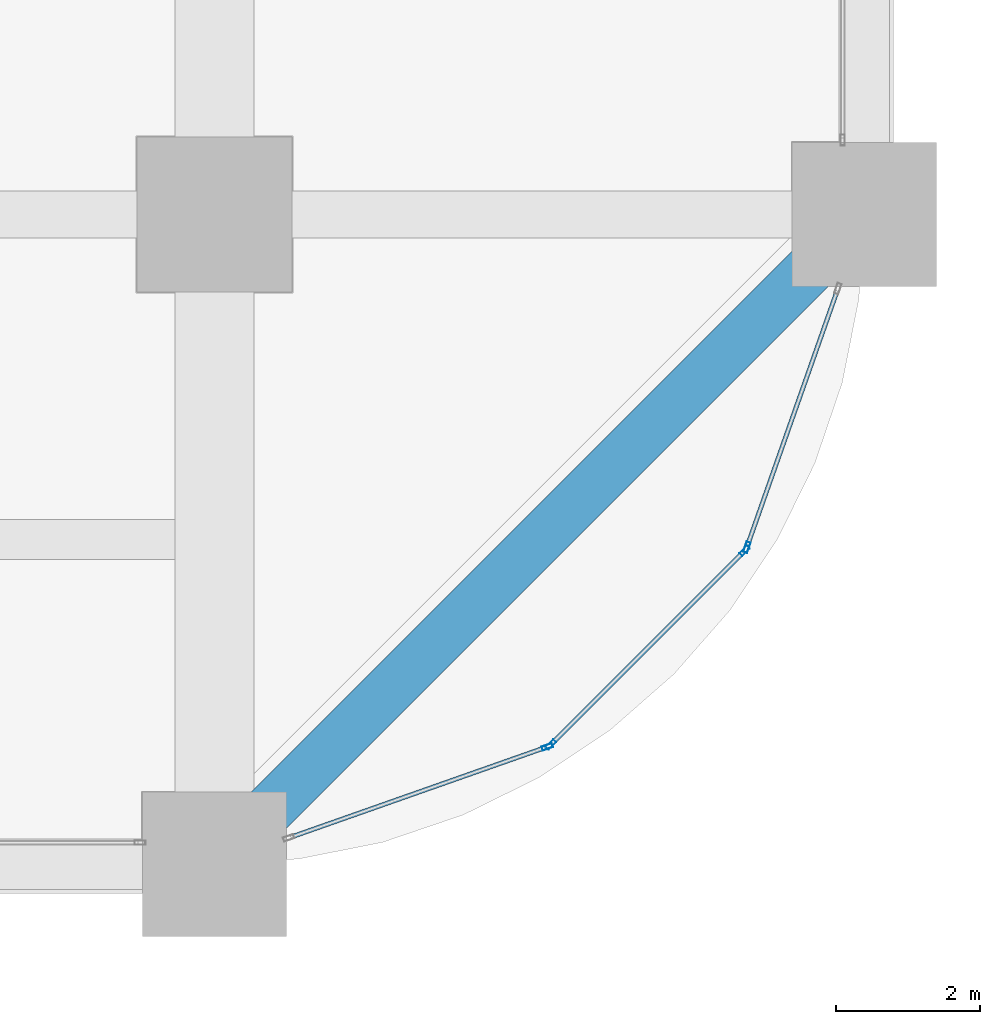
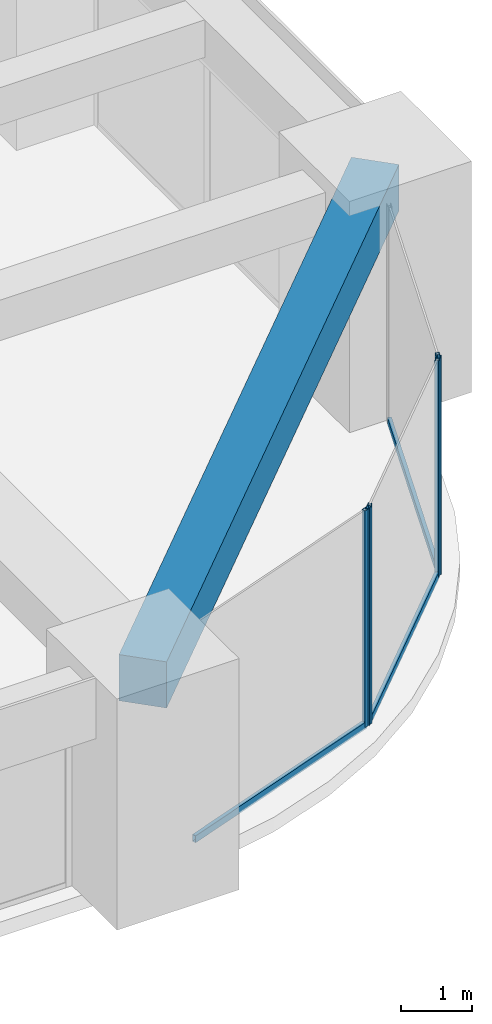
# One storey, part 17 of 41: 7 members, 1 beam, 3 elements without a shape of their own.
"""IFC4 building model written with IfcOpenShell, lengths in metres."""

from ifc_helpers import new_model, si_unit, direction, frame, origin, origin_2d, place, context, subcontext, project, spatial, rectangle, hollow_rectangle, extrude, material, material_profile, profile_set, type_object, element, aggregate, save


model = new_model("IFC4")

# Units and contexts
model_context = context("Model", 3, precision=1e-05, world=origin(), true_north=direction((0.0, 1.0)))
body_context = subcontext(model_context, "Body", "Model", "MODEL_VIEW")
ifc_project = project(units=[si_unit("LENGTHUNIT", "METRE"), si_unit("AREAUNIT", "SQUARE_METRE"), si_unit("VOLUMEUNIT", "CUBIC_METRE"), si_unit("PLANEANGLEUNIT", "RADIAN"), si_unit("MASSUNIT", "GRAM", prefix="KILO")], contexts=[model_context])

# Site, building, storey
site_placement = place(None, origin())
site = spatial("IfcSite", under=ifc_project, at=site_placement, CompositionType="ELEMENT")
building_placement = place(site_placement, origin())
building = spatial("IfcBuilding", under=site, at=building_placement, Name="Zorevar Civic Tower", CompositionType="ELEMENT")
storey_placement = place(building_placement, frame((0.0, 0.0, 89.0)))
storey = spatial("IfcBuildingStorey", under=building, at=storey_placement, Name="L21", CompositionType="ELEMENT", Elevation=89.0)

# Curtain wall, member
ifc_material_1 = material(Name="Dark grey solar-control glass in black aluminium frame", Category="aluminium")
curtain_wall_type = type_object("IfcCurtainWallType", Name="Curtain wall CW3 mid zone", PredefinedType="NOTDEFINED", material=ifc_material_1)
curtain_wall_1_placement = place(storey_placement, origin())
curtain_wall_1 = element("IfcCurtainWall", 1, at=curtain_wall_1_placement, inside=storey, type_object=curtain_wall_type, Name="CW3 L21", PredefinedType="NOTDEFINED")
ifc_material_2 = material(Name="Aluminium, black anodised", Category="aluminium")
ifc_material_profile_1 = material_profile(ifc_material_2, hollow_rectangle(XDim=0.06005859375, YDim=0.14990234375, WallThickness=0.00390625, at=origin_2d()), Name="AL 150x60x4")
ifc_profile_set_1 = profile_set([ifc_material_profile_1], Name="Aluminium, black anodised")
member_type_1 = type_object("IfcMemberType", Name="CW3 mullion AL 150x60x4", PredefinedType="MULLION", material=ifc_profile_set_1)
member_1_placement = place(storey_placement, frame((58.607666015625, 1.628173828125, 0.0), z_axis=(0.0, 0.0, 1.0), x_axis=(-0.33217121332, 0.943219107653, 0.0)))
member_1 = element("IfcMember", 2, at=member_1_placement, type_object=member_type_1, Name="CW3 mullion 2", PredefinedType="MULLION", context=body_context, shape_type="SweptSolid", body=[
    extrude(hollow_rectangle(XDim=0.06005859375, YDim=0.14990234375, WallThickness=0.00390625, at=origin_2d()), origin(), (0.0, 0.0, 1.0), 3.75),
])

# Curtain wall, members
curtain_wall_2_placement = place(storey_placement, origin())
curtain_wall_2 = element("IfcCurtainWall", 3, at=curtain_wall_2_placement, inside=storey, type_object=curtain_wall_type, Name="CW3 L21", PredefinedType="NOTDEFINED")
member_2_placement = place(storey_placement, frame((58.6572265625, 1.659423828125, 0.0), z_axis=(0.0, 0.0, 1.0), x_axis=(-0.707106781187, 0.707106781187, 0.0)))
member_2 = element("IfcMember", 4, at=member_2_placement, type_object=member_type_1, Name="CW3 mullion 1", PredefinedType="MULLION", context=body_context, shape_type="SweptSolid", body=[
    extrude(hollow_rectangle(XDim=0.06005859375, YDim=0.14990234375, WallThickness=0.00390625, at=origin_2d()), origin(), (0.0, 0.0, 1.0), 3.75),
])
member_3_placement = place(storey_placement, frame((61.340576171875, 4.3427734375, 0.0), z_axis=(0.0, 0.0, 1.0), x_axis=(-0.707106781187, 0.707106781187, 0.0)))
member_3 = element("IfcMember", 5, at=member_3_placement, type_object=member_type_1, Name="CW3 mullion 2", PredefinedType="MULLION", context=body_context, shape_type="SweptSolid", body=[
    extrude(hollow_rectangle(XDim=0.06005859375, YDim=0.14990234375, WallThickness=0.00390625, at=origin_2d()), origin(), (0.0, 0.0, 1.0), 3.75),
])

# Curtain wall, member
curtain_wall_3_placement = place(storey_placement, origin())
curtain_wall_3 = element("IfcCurtainWall", 6, at=curtain_wall_3_placement, inside=storey, type_object=curtain_wall_type, Name="CW3 L21", PredefinedType="NOTDEFINED")
member_4_placement = place(storey_placement, frame((61.371826171875, 4.392333984375, 0.0), z_axis=(0.0, 0.0, 1.0), x_axis=(-0.943219107653, 0.33217121332, 0.0)))
member_4 = element("IfcMember", 7, at=member_4_placement, type_object=member_type_1, Name="CW3 mullion 1", PredefinedType="MULLION", context=body_context, shape_type="SweptSolid", body=[
    extrude(hollow_rectangle(XDim=0.06005859375, YDim=0.14990234375, WallThickness=0.00390625, at=origin_2d()), origin(), (0.0, 0.0, 1.0), 3.75),
])

# Member
ifc_material_3 = material(Name="Aluminium, black anodised", Category="aluminium")
ifc_material_profile_2 = material_profile(ifc_material_3, hollow_rectangle(XDim=0.06005859375, YDim=0.1201171875, WallThickness=0.0029296875, at=origin_2d()), Name="AL 120x60x3")
ifc_profile_set_2 = profile_set([ifc_material_profile_2], Name="Aluminium, black anodised")
member_type_2 = type_object("IfcMemberType", Name="CW3 transom AL 120x60x3", PredefinedType="USERDEFINED", material=ifc_profile_set_2)
member_5_placement = place(storey_placement, frame((55.056640625, 0.377685546875, 0.030029296875), z_axis=(0.943227839685, 0.332146417176, 0.0), x_axis=(-0.332146417176, 0.943227839685, 0.0)))
member_5 = element("IfcMember", 8, at=member_5_placement, type_object=member_type_2, Name="CW3 sill transom", ObjectType="TRANSOM", PredefinedType="USERDEFINED", context=body_context, shape_type="SweptSolid", body=[
    extrude(hollow_rectangle(XDim=0.06005859375, YDim=0.1201171875, WallThickness=0.0029296875, at=origin_2d()), origin(), (0.0, 0.0, 1.0), 3.734619140625),
])

aggregate(curtain_wall_1, [member_1, member_5])

member_6_placement = place(storey_placement, frame((58.678466796875, 1.6806640625, 0.030029296875), z_axis=(0.707106781187, 0.707106781187, 0.0), x_axis=(-0.707106781187, 0.707106781187, 0.0)))
member_6 = element("IfcMember", 9, at=member_6_placement, type_object=member_type_2, Name="CW3 sill transom", ObjectType="TRANSOM", PredefinedType="USERDEFINED", context=body_context, shape_type="SweptSolid", body=[
    extrude(hollow_rectangle(XDim=0.06005859375, YDim=0.1201171875, WallThickness=0.0029296875, at=origin_2d()), origin(), (0.0, 0.0, 1.0), 3.73486328125),
])

aggregate(curtain_wall_2, [member_2, member_3, member_6])

member_7_placement = place(storey_placement, frame((61.3818359375, 4.420654296875, 0.030029296875), z_axis=(0.332146417176, 0.943227839685, 0.0), x_axis=(-0.943227839685, 0.332146417176, 0.0)))
member_7 = element("IfcMember", 10, at=member_7_placement, type_object=member_type_2, Name="CW3 sill transom", ObjectType="TRANSOM", PredefinedType="USERDEFINED", context=body_context, shape_type="SweptSolid", body=[
    extrude(hollow_rectangle(XDim=0.06005859375, YDim=0.1201171875, WallThickness=0.0029296875, at=origin_2d()), origin(), (0.0, 0.0, 1.0), 3.734619140625),
])

aggregate(curtain_wall_3, [member_4, member_7])

# Beam
ifc_material_4 = material(Name="Concrete C50/60", Category="concrete")
ifc_material_profile_3 = material_profile(ifc_material_4, rectangle(XDim=0.699951171875, YDim=0.800048828125, at=origin_2d()), Name="RC 700x800")
ifc_profile_set_3 = profile_set([ifc_material_profile_3], Name="Concrete C50/60")
beam_type = type_object("IfcBeamType", Name="Edge beam RC 700x800", PredefinedType="SPANDREL", material=ifc_profile_set_3)
beam_placement = place(storey_placement, frame((54.0, 0.0, 3.35009765625), z_axis=(0.707106781187, 0.707106781187, 0.0), x_axis=(-0.707106781187, 0.707106781187, 0.0)))
element("IfcBeam", 11, at=beam_placement, inside=storey, type_object=beam_type, Name="Corner edge beam L22", PredefinedType="SPANDREL", context=body_context, shape_type="SweptSolid", body=[
    extrude(rectangle(XDim=0.699951171875, YDim=0.800048828125, at=origin_2d()), origin(), (0.0, 0.0, 1.0), 12.72802734375),
])

save(model, "model.ifc")
